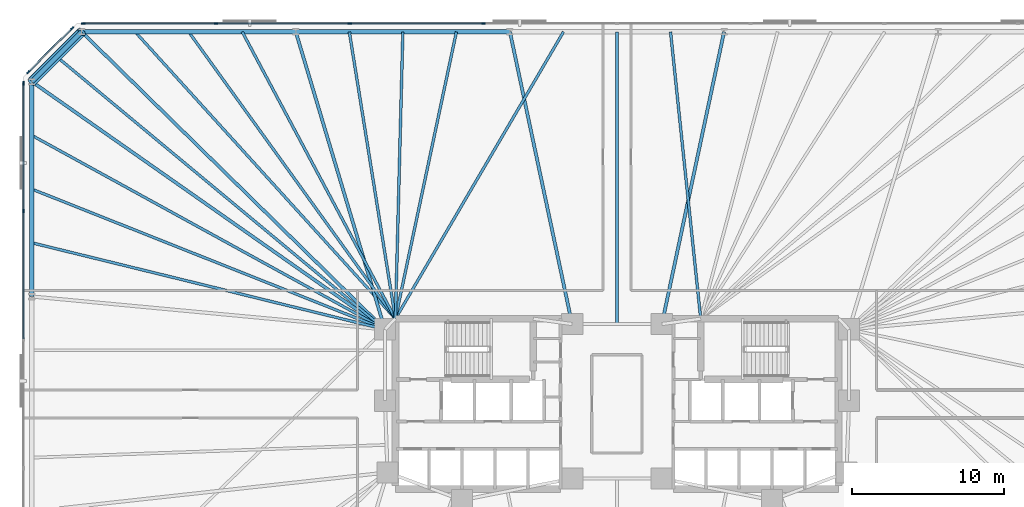
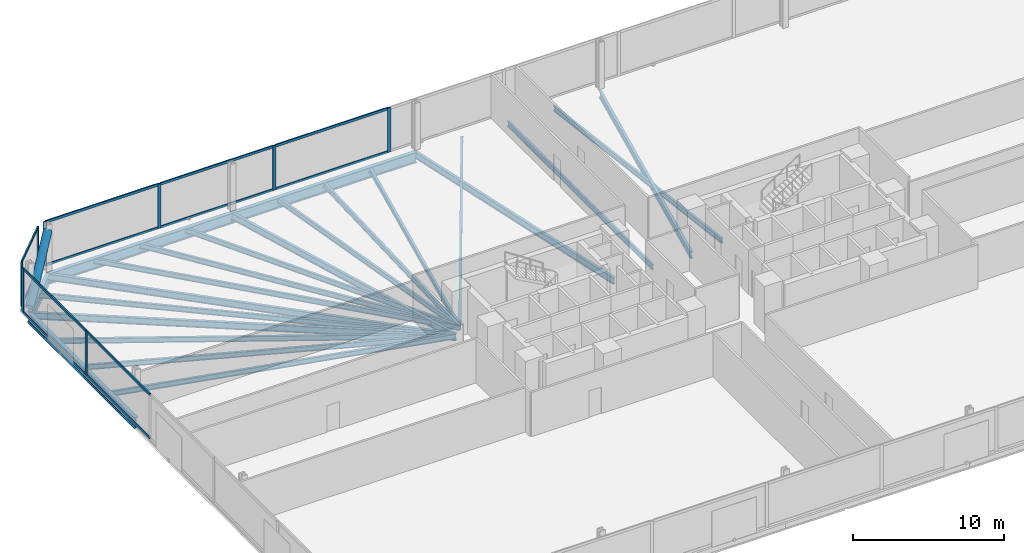
# One storey, part 8 of 16: 22 beams, 21 members, 3 elements without a shape of their own.
"""IFC4 building model written with IfcOpenShell, lengths in metres."""

from ifc_helpers import new_model, si_unit, direction, frame, origin, origin_2d, place, context, subcontext, project, spatial, rectangle, hollow_circle, i_section, extrude, material, material_profile, profile_set, type_object, element, aggregate, save


model = new_model("IFC4")

# Units and contexts
model_context = context("Model", 3, precision=1e-05, world=origin(), true_north=direction((0.0, 1.0)))
body_context = subcontext(model_context, "Body", "Model", "MODEL_VIEW")
ifc_project = project(units=[si_unit("LENGTHUNIT", "METRE"), si_unit("AREAUNIT", "SQUARE_METRE"), si_unit("VOLUMEUNIT", "CUBIC_METRE"), si_unit("PLANEANGLEUNIT", "RADIAN"), si_unit("MASSUNIT", "GRAM", prefix="KILO")], contexts=[model_context])

# Site, building, storey
site_placement = place(None, origin())
site = spatial("IfcSite", under=ifc_project, at=site_placement, CompositionType="ELEMENT")
building_placement = place(site_placement, origin())
building = spatial("IfcBuilding", under=site, at=building_placement, Name="Menara Jurai Vektor", CompositionType="ELEMENT")
storey_placement = place(building_placement, frame((0.0, 0.0, 67.39990234375)))
storey = spatial("IfcBuildingStorey", under=building, at=storey_placement, Name="L16", CompositionType="ELEMENT", Elevation=67.39990234375)

# Curtain wall, members
ifc_material_1 = material(Name="Anodised Pale Aluminium & Low-E Double Glazing", Category="aluminium")
curtain_wall_type = type_object("IfcCurtainWallType", Name="CW-BLK1", PredefinedType="NOTDEFINED", material=ifc_material_1)
curtain_wall_1_placement = place(storey_placement, origin())
curtain_wall_1 = element("IfcCurtainWall", 1, at=curtain_wall_1_placement, inside=storey, type_object=curtain_wall_type, Name="Unitised Curtain Wall L16 F05", PredefinedType="NOTDEFINED")
ifc_material_2 = material(Name="Anodised Pale Aluminium Mullion", Category="aluminium")
ifc_material_profile_1 = material_profile(ifc_material_2, rectangle(XDim=0.094970703125, YDim=0.239990234375, at=origin_2d()), Name="ALU MUL 95x240")
ifc_profile_set_1 = profile_set([ifc_material_profile_1], Name="Anodised Pale Aluminium Mullion")
member_type_1 = type_object("IfcMemberType", Name="CW-BLK1-MUL", PredefinedType="MULLION", material=ifc_profile_set_1)
member_1_placement = place(storey_placement, frame((-8.780029296875, 25.0, 0.0), z_axis=(0.0, 0.0, 1.0), x_axis=(0.0, -1.0, 0.0)))
member_1 = element("IfcMember", 2, at=member_1_placement, type_object=member_type_1, Name="CW-01 mullion 6", PredefinedType="MULLION", context=body_context, shape_type="SweptSolid", body=[
    extrude(rectangle(XDim=0.094970703125, YDim=0.239990234375, at=origin_2d()), origin(), (0.0, 0.0, 1.0), 3.5751953125),
])
member_2_placement = place(storey_placement, frame((-17.56005859375, 25.0, 0.0), z_axis=(0.0, 0.0, 1.0), x_axis=(0.0, -1.0, 0.0)))
member_2 = element("IfcMember", 3, at=member_2_placement, type_object=member_type_1, Name="CW-01 mullion 7", PredefinedType="MULLION", context=body_context, shape_type="SweptSolid", body=[
    extrude(rectangle(XDim=0.094970703125, YDim=0.239990234375, at=origin_2d()), origin(), (0.0, 0.0, 1.0), 3.5751953125),
])
member_3_placement = place(storey_placement, frame((-26.340087890625, 25.0, 0.0), z_axis=(0.0, 0.0, 1.0), x_axis=(0.0, -1.0, 0.0)))
member_3 = element("IfcMember", 4, at=member_3_placement, type_object=member_type_1, Name="CW-01 mullion 8", PredefinedType="MULLION", context=body_context, shape_type="SweptSolid", body=[
    extrude(rectangle(XDim=0.094970703125, YDim=0.239990234375, at=origin_2d()), origin(), (0.0, 0.0, 1.0), 3.5751953125),
])
member_4_placement = place(storey_placement, frame((-35.072509765625, 25.0, 0.0), z_axis=(0.0, 0.0, 1.0), x_axis=(0.0, -1.0, 0.0)))
member_4 = element("IfcMember", 5, at=member_4_placement, type_object=member_type_1, Name="CW-01 mullion 9", PredefinedType="MULLION", context=body_context, shape_type="SweptSolid", body=[
    extrude(rectangle(XDim=0.094970703125, YDim=0.239990234375, at=origin_2d()), origin(), (0.0, 0.0, 1.0), 3.5751953125),
])

curtain_wall_2_placement = place(storey_placement, origin())
curtain_wall_2 = element("IfcCurtainWall", 6, at=curtain_wall_2_placement, inside=storey, type_object=curtain_wall_type, Name="Unitised Curtain Wall L16 F06", PredefinedType="NOTDEFINED")
member_5_placement = place(storey_placement, frame((-35.80224609375, 24.69775390625, 0.0), z_axis=(0.0, 0.0, 1.0), x_axis=(0.707106781187, -0.707106781187, 0.0)))
member_5 = element("IfcMember", 7, at=member_5_placement, type_object=member_type_1, Name="CW-01 mullion 1", PredefinedType="MULLION", context=body_context, shape_type="SweptSolid", body=[
    extrude(rectangle(XDim=0.094970703125, YDim=0.239990234375, at=origin_2d()), origin(), (0.0, 0.0, 1.0), 3.5751953125),
])
member_6_placement = place(storey_placement, frame((-38.69775390625, 21.80224609375, 0.0), z_axis=(0.0, 0.0, 1.0), x_axis=(0.707106781187, -0.707106781187, 0.0)))
member_6 = element("IfcMember", 8, at=member_6_placement, type_object=member_type_1, Name="CW-01 mullion 2", PredefinedType="MULLION", context=body_context, shape_type="SweptSolid", body=[
    extrude(rectangle(XDim=0.094970703125, YDim=0.239990234375, at=origin_2d()), origin(), (0.0, 0.0, 1.0), 3.5751953125),
])

curtain_wall_3_placement = place(storey_placement, origin())
curtain_wall_3 = element("IfcCurtainWall", 9, at=curtain_wall_3_placement, inside=storey, type_object=curtain_wall_type, Name="Unitised Curtain Wall L16 F07", PredefinedType="NOTDEFINED")
member_7_placement = place(storey_placement, frame((-39.0, 21.072509765625, 0.0), z_axis=(0.0, 0.0, 1.0), x_axis=(1.0, 0.0, 0.0)))
member_7 = element("IfcMember", 10, at=member_7_placement, type_object=member_type_1, Name="CW-01 mullion 1", PredefinedType="MULLION", context=body_context, shape_type="SweptSolid", body=[
    extrude(rectangle(XDim=0.094970703125, YDim=0.239990234375, at=origin_2d()), origin(), (0.0, 0.0, 1.0), 3.5751953125),
])
member_8_placement = place(storey_placement, frame((-39.0, 12.672119140625, 0.0), z_axis=(0.0, 0.0, 1.0), x_axis=(1.0, 0.0, 0.0)))
member_8 = element("IfcMember", 11, at=member_8_placement, type_object=member_type_1, Name="CW-01 mullion 2", PredefinedType="MULLION", context=body_context, shape_type="SweptSolid", body=[
    extrude(rectangle(XDim=0.094970703125, YDim=0.239990234375, at=origin_2d()), origin(), (0.0, 0.0, 1.0), 3.5751953125),
])

# Member
ifc_material_3 = material(Name="Anodised Pale Aluminium Transom", Category="aluminium")
ifc_material_profile_2 = material_profile(ifc_material_3, rectangle(XDim=0.094970703125, YDim=0.199951171875, at=origin_2d()), Name="ALU TRN 95x200")
ifc_profile_set_2 = profile_set([ifc_material_profile_2], Name="Anodised Pale Aluminium Transom")
member_type_2 = type_object("IfcMemberType", Name="CW-BLK1-TRN", PredefinedType="USERDEFINED", material=ifc_profile_set_2)
member_9_placement = place(storey_placement, frame((-8.827392578125, 25.0, 0.047607421875), z_axis=(-1.0, 0.0, 0.0), x_axis=(0.0, -1.0, 0.0)))
member_9 = element("IfcMember", 12, at=member_9_placement, type_object=member_type_2, Name="CW-01 transom 6.1", ObjectType="TRANSOM", PredefinedType="USERDEFINED", context=body_context, shape_type="SweptSolid", body=[
    extrude(rectangle(XDim=0.094970703125, YDim=0.199951171875, at=origin_2d()), origin(), (0.0, 0.0, 1.0), 8.68505859375),
])

member_10_placement = place(storey_placement, frame((-8.827392578125, 25.0, 3.527587890625), z_axis=(-1.0, 0.0, 0.0), x_axis=(0.0, -1.0, 0.0)))
member_10 = element("IfcMember", 13, at=member_10_placement, type_object=member_type_2, Name="CW-01 transom 6.2", ObjectType="TRANSOM", PredefinedType="USERDEFINED", context=body_context, shape_type="SweptSolid", body=[
    extrude(rectangle(XDim=0.094970703125, YDim=0.199951171875, at=origin_2d()), origin(), (0.0, 0.0, 1.0), 8.68505859375),
])

member_11_placement = place(storey_placement, frame((-17.607421875, 25.0, 0.047607421875), z_axis=(-1.0, 0.0, 0.0), x_axis=(0.0, -1.0, 0.0)))
member_11 = element("IfcMember", 14, at=member_11_placement, type_object=member_type_2, Name="CW-01 transom 7.1", ObjectType="TRANSOM", PredefinedType="USERDEFINED", context=body_context, shape_type="SweptSolid", body=[
    extrude(rectangle(XDim=0.094970703125, YDim=0.199951171875, at=origin_2d()), origin(), (0.0, 0.0, 1.0), 8.68505859375),
])

member_12_placement = place(storey_placement, frame((-17.607421875, 25.0, 3.527587890625), z_axis=(-1.0, 0.0, 0.0), x_axis=(0.0, -1.0, 0.0)))
member_12 = element("IfcMember", 15, at=member_12_placement, type_object=member_type_2, Name="CW-01 transom 7.2", ObjectType="TRANSOM", PredefinedType="USERDEFINED", context=body_context, shape_type="SweptSolid", body=[
    extrude(rectangle(XDim=0.094970703125, YDim=0.199951171875, at=origin_2d()), origin(), (0.0, 0.0, 1.0), 8.68505859375),
])

member_13_placement = place(storey_placement, frame((-26.387451171875, 25.0, 0.047607421875), z_axis=(-1.0, 0.0, 0.0), x_axis=(0.0, -1.0, 0.0)))
member_13 = element("IfcMember", 16, at=member_13_placement, type_object=member_type_2, Name="CW-01 transom 8.1", ObjectType="TRANSOM", PredefinedType="USERDEFINED", context=body_context, shape_type="SweptSolid", body=[
    extrude(rectangle(XDim=0.094970703125, YDim=0.199951171875, at=origin_2d()), origin(), (0.0, 0.0, 1.0), 8.637451171875),
])

member_14_placement = place(storey_placement, frame((-26.387451171875, 25.0, 3.527587890625), z_axis=(-1.0, 0.0, 0.0), x_axis=(0.0, -1.0, 0.0)))
member_14 = element("IfcMember", 17, at=member_14_placement, type_object=member_type_2, Name="CW-01 transom 8.2", ObjectType="TRANSOM", PredefinedType="USERDEFINED", context=body_context, shape_type="SweptSolid", body=[
    extrude(rectangle(XDim=0.094970703125, YDim=0.199951171875, at=origin_2d()), origin(), (0.0, 0.0, 1.0), 8.637451171875),
])

aggregate(curtain_wall_1, [member_1, member_2, member_3, member_4, member_9, member_10, member_11, member_12, member_13, member_14])

member_15_placement = place(storey_placement, frame((-35.8359375, 24.6640625, 0.047607421875), z_axis=(-0.707106781187, -0.707106781187, 0.0), x_axis=(0.707106781187, -0.707106781187, 0.0)))
member_15 = element("IfcMember", 18, at=member_15_placement, type_object=member_type_2, Name="CW-01 transom 1.1", ObjectType="TRANSOM", PredefinedType="USERDEFINED", context=body_context, shape_type="SweptSolid", body=[
    extrude(rectangle(XDim=0.094970703125, YDim=0.199951171875, at=origin_2d()), origin(), (0.0, 0.0, 1.0), 3.99951171875),
])

member_16_placement = place(storey_placement, frame((-35.8359375, 24.6640625, 3.527587890625), z_axis=(-0.707106781187, -0.707106781187, 0.0), x_axis=(0.707106781187, -0.707106781187, 0.0)))
member_16 = element("IfcMember", 19, at=member_16_placement, type_object=member_type_2, Name="CW-01 transom 1.2", ObjectType="TRANSOM", PredefinedType="USERDEFINED", context=body_context, shape_type="SweptSolid", body=[
    extrude(rectangle(XDim=0.094970703125, YDim=0.199951171875, at=origin_2d()), origin(), (0.0, 0.0, 1.0), 3.99951171875),
])

aggregate(curtain_wall_2, [member_5, member_6, member_15, member_16])

member_17_placement = place(storey_placement, frame((-39.0, 21.02490234375, 0.047607421875), z_axis=(0.0, -1.0, 0.0), x_axis=(1.0, 0.0, 0.0)))
member_17 = element("IfcMember", 20, at=member_17_placement, type_object=member_type_2, Name="CW-01 transom 1.1", ObjectType="TRANSOM", PredefinedType="USERDEFINED", context=body_context, shape_type="SweptSolid", body=[
    extrude(rectangle(XDim=0.094970703125, YDim=0.199951171875, at=origin_2d()), origin(), (0.0, 0.0, 1.0), 8.305419921875),
])

member_18_placement = place(storey_placement, frame((-39.0, 21.02490234375, 3.527587890625), z_axis=(0.0, -1.0, 0.0), x_axis=(1.0, 0.0, 0.0)))
member_18 = element("IfcMember", 21, at=member_18_placement, type_object=member_type_2, Name="CW-01 transom 1.2", ObjectType="TRANSOM", PredefinedType="USERDEFINED", context=body_context, shape_type="SweptSolid", body=[
    extrude(rectangle(XDim=0.094970703125, YDim=0.199951171875, at=origin_2d()), origin(), (0.0, 0.0, 1.0), 8.305419921875),
])

member_19_placement = place(storey_placement, frame((-39.0, 12.62451171875, 0.047607421875), z_axis=(0.0, -1.0, 0.0), x_axis=(1.0, 0.0, 0.0)))
member_19 = element("IfcMember", 22, at=member_19_placement, type_object=member_type_2, Name="CW-01 transom 2.1", ObjectType="TRANSOM", PredefinedType="USERDEFINED", context=body_context, shape_type="SweptSolid", body=[
    extrude(rectangle(XDim=0.094970703125, YDim=0.199951171875, at=origin_2d()), origin(), (0.0, 0.0, 1.0), 8.35302734375),
])

member_20_placement = place(storey_placement, frame((-39.0, 12.62451171875, 3.527587890625), z_axis=(0.0, -1.0, 0.0), x_axis=(1.0, 0.0, 0.0)))
member_20 = element("IfcMember", 23, at=member_20_placement, type_object=member_type_2, Name="CW-01 transom 2.2", ObjectType="TRANSOM", PredefinedType="USERDEFINED", context=body_context, shape_type="SweptSolid", body=[
    extrude(rectangle(XDim=0.094970703125, YDim=0.199951171875, at=origin_2d()), origin(), (0.0, 0.0, 1.0), 8.35302734375),
])

aggregate(curtain_wall_3, [member_7, member_8, member_17, member_18, member_19, member_20])

# Beams
ifc_material_4 = material(Name="Steel S355", Category="steel")
ifc_material_profile_3 = material_profile(ifc_material_4, i_section(OverallWidth=0.2109375, OverallDepth=0.5390625, WebThickness=0.011962890625, FlangeThickness=0.01904296875, FilletRadius=0.012939453125, at=origin_2d()), Name="UKB 533x210x109")
ifc_profile_set_3 = profile_set([ifc_material_profile_3], Name="Steel S355")
beam_type_1 = type_object("IfcBeamType", Name="STR-BM-533", PredefinedType="BEAM", material=ifc_profile_set_3)
for number, where, z_axis, x_axis, name in (
    (24, (7.03564453125, 24.449951171875, -0.494384765625), (-0.2081367579, -0.978099734184, 0.0), (0.978099734184, -0.2081367579, 0.0), "Radial Floor Girder L16-N3"),
    (25, (-7.03564453125, 24.449951171875, -0.494384765625), (0.2081367579, -0.978099734184, 0.0), (0.978099734184, 0.2081367579, 0.0), "Radial Floor Girder L16-N4"),
):
    element("IfcBeam", number, at=place(storey_placement, frame(where, z_axis=z_axis, x_axis=x_axis)), inside=storey, type_object=beam_type_1, Name=name, PredefinedType="BEAM", context=body_context, shape_type="SweptSolid", body=[
        extrude(i_section(OverallWidth=0.2109375, OverallDepth=0.5390625, WebThickness=0.011962890625, FlangeThickness=0.01904296875, FilletRadius=0.012939453125, at=origin_2d()), origin(), (0.0, 0.0, 1.0), 19.6298828125),
    ])
beam_1_placement = place(storey_placement, frame((-21.106689453125, 24.449951171875, -0.494384765625), z_axis=(0.286973617166, -0.957938486047, 0.0), x_axis=(0.957938486047, 0.286973617166, 0.0)))
element("IfcBeam", 26, at=beam_1_placement, inside=storey, type_object=beam_type_1, Name="Radial Floor Girder L16-N5", PredefinedType="BEAM", context=body_context, shape_type="SweptSolid", body=[
    extrude(i_section(OverallWidth=0.2109375, OverallDepth=0.5390625, WebThickness=0.011962890625, FlangeThickness=0.01904296875, FilletRadius=0.012939453125, at=origin_2d()), origin(), (0.0, 0.0, 1.0), 20.408447265625),
])
beam_2_placement = place(storey_placement, frame((-35.177734375, 24.449951171875, -0.494384765625), z_axis=(0.713839032855, -0.700309813706, 0.0), x_axis=(0.700309813706, 0.713839032855, 0.0)))
element("IfcBeam", 27, at=beam_2_placement, inside=storey, type_object=beam_type_1, Name="Radial Floor Girder L16-N6", PredefinedType="BEAM", context=body_context, shape_type="SweptSolid", body=[
    extrude(i_section(OverallWidth=0.2109375, OverallDepth=0.5390625, WebThickness=0.011962890625, FlangeThickness=0.01904296875, FilletRadius=0.012939453125, at=origin_2d()), origin(), (0.0, 0.0, 1.0), 27.916259765625),
])
beam_3_placement = place(storey_placement, frame((-38.449951171875, 21.177734375, -0.494384765625), z_axis=(0.818603732445, -0.574358711283, 0.0), x_axis=(0.574358711283, 0.818603732445, 0.0)))
element("IfcBeam", 28, at=beam_3_placement, inside=storey, type_object=beam_type_1, Name="Radial Floor Girder L16-W1", PredefinedType="BEAM", context=body_context, shape_type="SweptSolid", body=[
    extrude(i_section(OverallWidth=0.2109375, OverallDepth=0.5390625, WebThickness=0.011962890625, FlangeThickness=0.01904296875, FilletRadius=0.012939453125, at=origin_2d()), origin(), (0.0, 0.0, 1.0), 28.3408203125),
])

# Member
ifc_material_5 = material(Name="Steel S460", Category="steel")
ifc_material_profile_4 = material_profile(ifc_material_5, hollow_circle(Radius=0.304931640625, WallThickness=0.02490234375, at=origin_2d()), Name="CHS 610x25")
ifc_profile_set_4 = profile_set([ifc_material_profile_4], Name="Steel S460")
member_type_3 = type_object("IfcMemberType", Name="STR-BR-610", PredefinedType="BRACE", material=ifc_profile_set_4)
member_21_placement = place(storey_placement, frame((-38.449951171875, 21.177734375, 0.150146484375), z_axis=(0.588942422958, 0.588942422958, 0.553438022619), x_axis=(-0.707106781187, 0.707106781187, 0.0)))
element("IfcMember", 29, at=member_21_placement, inside=storey, type_object=member_type_3, Name="Exoskeleton Corner Brace L16-3", PredefinedType="BRACE", context=body_context, shape_type="SweptSolid", body=[
    extrude(hollow_circle(Radius=0.304931640625, WallThickness=0.02490234375, at=origin_2d()), origin(), (0.0, 0.0, 1.0), 5.55615234375),
])

# Beams
ifc_material_profile_5 = material_profile(ifc_material_4, i_section(OverallWidth=0.178955078125, OverallDepth=0.408935546875, WebThickness=0.009033203125, FlangeThickness=0.013916015625, FilletRadius=0.010009765625, at=origin_2d()), Name="UKB 406x178x67")
ifc_profile_set_5 = profile_set([ifc_material_profile_5], Name="Steel S355")
beam_type_2 = type_object("IfcBeamType", Name="STR-JS-406", PredefinedType="JOIST", material=ifc_profile_set_5)
beam_4_placement = place(storey_placement, frame((3.517822265625, 24.449951171875, -0.429443359375), z_axis=(0.104579513969, -0.994516528399, 0.0), x_axis=(0.994516528399, 0.104579513969, 0.0)))
element("IfcBeam", 30, at=beam_4_placement, inside=storey, type_object=beam_type_2, Name="Radial Secondary Floor Joist L16-JS22", PredefinedType="JOIST", context=body_context, shape_type="SweptSolid", body=[
    extrude(i_section(OverallWidth=0.178955078125, OverallDepth=0.408935546875, WebThickness=0.009033203125, FlangeThickness=0.013916015625, FilletRadius=0.010009765625, at=origin_2d()), origin(), (0.0, 0.0, 1.0), 18.953857421875),
])
beam_5_placement = place(storey_placement, frame((0.0, 24.449951171875, -0.429443359375), z_axis=(0.0, -1.0, 0.0), x_axis=(1.0, 0.0, 0.0)))
element("IfcBeam", 31, at=beam_5_placement, inside=storey, type_object=beam_type_2, Name="Radial Secondary Floor Joist L16-JS23", PredefinedType="JOIST", context=body_context, shape_type="SweptSolid", body=[
    extrude(i_section(OverallWidth=0.178955078125, OverallDepth=0.408935546875, WebThickness=0.009033203125, FlangeThickness=0.013916015625, FilletRadius=0.010009765625, at=origin_2d()), origin(), (0.0, 0.0, 1.0), 19.199951171875),
])
beam_6_placement = place(storey_placement, frame((-3.517822265625, 24.449951171875, -0.429443359375), z_axis=(-0.505457909797, -0.862851262631, 0.0), x_axis=(0.862851262631, -0.505457909797, 0.0)))
element("IfcBeam", 32, at=beam_6_placement, inside=storey, type_object=beam_type_2, Name="Radial Secondary Floor Joist L16-JS24", PredefinedType="JOIST", context=body_context, shape_type="SweptSolid", body=[
    extrude(i_section(OverallWidth=0.178955078125, OverallDepth=0.408935546875, WebThickness=0.009033203125, FlangeThickness=0.013916015625, FilletRadius=0.010009765625, at=origin_2d()), origin(), (0.0, 0.0, 1.0), 21.845947265625),
])
beam_7_placement = place(storey_placement, frame((-10.55322265625, 24.449951171875, -0.429443359375), z_axis=(-0.207920423262, -0.978145744555, 0.0), x_axis=(0.978145744555, -0.207920423262, 0.0)))
element("IfcBeam", 33, at=beam_7_placement, inside=storey, type_object=beam_type_2, Name="Radial Secondary Floor Joist L16-JS25", PredefinedType="JOIST", context=body_context, shape_type="SweptSolid", body=[
    extrude(i_section(OverallWidth=0.178955078125, OverallDepth=0.408935546875, WebThickness=0.009033203125, FlangeThickness=0.013916015625, FilletRadius=0.010009765625, at=origin_2d()), origin(), (0.0, 0.0, 1.0), 19.27099609375),
])
beam_8_placement = place(storey_placement, frame((-14.071044921875, 24.449951171875, -0.429443359375), z_axis=(-0.02593384597, -0.999663661255, 0.0), x_axis=(0.999663661255, -0.02593384597, 0.0)))
element("IfcBeam", 34, at=beam_8_placement, inside=storey, type_object=beam_type_2, Name="Radial Secondary Floor Joist L16-JS26", PredefinedType="JOIST", context=body_context, shape_type="SweptSolid", body=[
    extrude(i_section(OverallWidth=0.178955078125, OverallDepth=0.408935546875, WebThickness=0.009033203125, FlangeThickness=0.013916015625, FilletRadius=0.010009765625, at=origin_2d()), origin(), (0.0, 0.0, 1.0), 18.856201171875),
])
beam_9_placement = place(storey_placement, frame((-17.5888671875, 24.449951171875, -0.429443359375), z_axis=(0.158645817656, -0.987335558227, 0.0), x_axis=(0.987335558227, 0.158645817656, 0.0)))
element("IfcBeam", 35, at=beam_9_placement, inside=storey, type_object=beam_type_2, Name="Radial Secondary Floor Joist L16-JS27", PredefinedType="JOIST", context=body_context, shape_type="SweptSolid", body=[
    extrude(i_section(OverallWidth=0.178955078125, OverallDepth=0.408935546875, WebThickness=0.009033203125, FlangeThickness=0.013916015625, FilletRadius=0.010009765625, at=origin_2d()), origin(), (0.0, 0.0, 1.0), 19.091552734375),
])
beam_10_placement = place(storey_placement, frame((-24.62451171875, 24.449951171875, -0.429443359375), z_axis=(0.470996174599, -0.882135252392, 0.0), x_axis=(0.882135252392, 0.470996174599, 0.0)))
element("IfcBeam", 36, at=beam_10_placement, inside=storey, type_object=beam_type_2, Name="Radial Secondary Floor Joist L16-JS28", PredefinedType="JOIST", context=body_context, shape_type="SweptSolid", body=[
    extrude(i_section(OverallWidth=0.178955078125, OverallDepth=0.408935546875, WebThickness=0.009033203125, FlangeThickness=0.013916015625, FilletRadius=0.010009765625, at=origin_2d()), origin(), (0.0, 0.0, 1.0), 21.368408203125),
])
beam_11_placement = place(storey_placement, frame((-28.142333984375, 24.449951171875, -0.429443359375), z_axis=(0.584598948369, -0.811322420229, 0.0), x_axis=(0.811322420229, 0.584598948369, 0.0)))
element("IfcBeam", 37, at=beam_11_placement, inside=storey, type_object=beam_type_2, Name="Radial Secondary Floor Joist L16-JS29", PredefinedType="JOIST", context=body_context, shape_type="SweptSolid", body=[
    extrude(i_section(OverallWidth=0.178955078125, OverallDepth=0.408935546875, WebThickness=0.009033203125, FlangeThickness=0.013916015625, FilletRadius=0.010009765625, at=origin_2d()), origin(), (0.0, 0.0, 1.0), 23.2333984375),
])
beam_12_placement = place(storey_placement, frame((-31.659912109375, 24.449951171875, -0.429443359375), z_axis=(0.671889844346, -0.740651089964, 0.0), x_axis=(0.740651089964, 0.671889844346, 0.0)))
element("IfcBeam", 38, at=beam_12_placement, inside=storey, type_object=beam_type_2, Name="Radial Secondary Floor Joist L16-JS30", PredefinedType="JOIST", context=body_context, shape_type="SweptSolid", body=[
    extrude(i_section(OverallWidth=0.178955078125, OverallDepth=0.408935546875, WebThickness=0.009033203125, FlangeThickness=0.013916015625, FilletRadius=0.010009765625, at=origin_2d()), origin(), (0.0, 0.0, 1.0), 25.450439453125),
])
beam_13_placement = place(storey_placement, frame((-36.81396484375, 22.81396484375, -0.429443359375), z_axis=(0.769201173096, -0.639006694259, 0.0), x_axis=(0.639006694259, 0.769201173096, 0.0)))
element("IfcBeam", 39, at=beam_13_placement, inside=storey, type_object=beam_type_2, Name="Radial Secondary Floor Joist L16-JS31", PredefinedType="JOIST", context=body_context, shape_type="SweptSolid", body=[
    extrude(i_section(OverallWidth=0.178955078125, OverallDepth=0.408935546875, WebThickness=0.009033203125, FlangeThickness=0.013916015625, FilletRadius=0.010009765625, at=origin_2d()), origin(), (0.0, 0.0, 1.0), 28.0341796875),
])
beam_14_placement = place(storey_placement, frame((-38.449951171875, 17.648193359375, -0.429443359375), z_axis=(0.87640219057, -0.481579900291, 0.0), x_axis=(0.481579900291, 0.87640219057, 0.0)))
element("IfcBeam", 40, at=beam_14_placement, inside=storey, type_object=beam_type_2, Name="Radial Secondary Floor Joist L16-JS32", PredefinedType="JOIST", context=body_context, shape_type="SweptSolid", body=[
    extrude(i_section(OverallWidth=0.178955078125, OverallDepth=0.408935546875, WebThickness=0.009033203125, FlangeThickness=0.013916015625, FilletRadius=0.010009765625, at=origin_2d()), origin(), (0.0, 0.0, 1.0), 26.471923828125),
])
beam_15_placement = place(storey_placement, frame((-38.449951171875, 14.118408203125, -0.429443359375), z_axis=(0.929323400723, -0.369266864027, 0.0), x_axis=(0.369266864027, 0.929323400723, 0.0)))
element("IfcBeam", 41, at=beam_15_placement, inside=storey, type_object=beam_type_2, Name="Radial Secondary Floor Joist L16-JS33", PredefinedType="JOIST", context=body_context, shape_type="SweptSolid", body=[
    extrude(i_section(OverallWidth=0.178955078125, OverallDepth=0.408935546875, WebThickness=0.009033203125, FlangeThickness=0.013916015625, FilletRadius=0.010009765625, at=origin_2d()), origin(), (0.0, 0.0, 1.0), 24.96435546875),
])
beam_16_placement = place(storey_placement, frame((-38.449951171875, 10.5888671875, -0.429443359375), z_axis=(0.971226234641, -0.238158772976, 0.0), x_axis=(0.238158772976, 0.971226234641, 0.0)))
element("IfcBeam", 42, at=beam_16_placement, inside=storey, type_object=beam_type_2, Name="Radial Secondary Floor Joist L16-JS34", PredefinedType="JOIST", context=body_context, shape_type="SweptSolid", body=[
    extrude(i_section(OverallWidth=0.178955078125, OverallDepth=0.408935546875, WebThickness=0.009033203125, FlangeThickness=0.013916015625, FilletRadius=0.010009765625, at=origin_2d()), origin(), (0.0, 0.0, 1.0), 23.88720703125),
])
ifc_material_profile_6 = material_profile(ifc_material_5, i_section(OverallWidth=0.2939453125, OverallDepth=0.85107421875, WebThickness=0.01611328125, FlangeThickness=0.027099609375, FilletRadius=0.01806640625, at=origin_2d()), Name="UKB 838x292x226")
ifc_profile_set_6 = profile_set([ifc_material_profile_6], Name="Steel S460")
beam_type_3 = type_object("IfcBeamType", Name="STR-SP-838", PredefinedType="SPANDREL", material=ifc_profile_set_6)
for number, where, z_axis, x_axis, name in (
    (43, (-7.03564453125, 24.449951171875, -0.650390625), (-1.0, 0.0, 0.0), (0.0, -1.0, 0.0), "Exoskeleton Spandrel Beam L16-14"),
    (44, (-21.106689453125, 24.449951171875, -0.650390625), (-1.0, 0.0, 0.0), (0.0, -1.0, 0.0), "Exoskeleton Spandrel Beam L16-15"),
):
    element("IfcBeam", number, at=place(storey_placement, frame(where, z_axis=z_axis, x_axis=x_axis)), inside=storey, type_object=beam_type_3, Name=name, PredefinedType="SPANDREL", context=body_context, shape_type="SweptSolid", body=[
        extrude(i_section(OverallWidth=0.2939453125, OverallDepth=0.85107421875, WebThickness=0.01611328125, FlangeThickness=0.027099609375, FilletRadius=0.01806640625, at=origin_2d()), origin(), (0.0, 0.0, 1.0), 14.071044921875),
    ])
beam_17_placement = place(storey_placement, frame((-35.177734375, 24.449951171875, -0.650390625), z_axis=(-0.707106781187, -0.707106781187, 0.0), x_axis=(0.707106781187, -0.707106781187, 0.0)))
element("IfcBeam", 45, at=beam_17_placement, inside=storey, type_object=beam_type_3, Name="Exoskeleton Spandrel Beam L16-16", PredefinedType="SPANDREL", context=body_context, shape_type="SweptSolid", body=[
    extrude(i_section(OverallWidth=0.2939453125, OverallDepth=0.85107421875, WebThickness=0.01611328125, FlangeThickness=0.027099609375, FilletRadius=0.01806640625, at=origin_2d()), origin(), (0.0, 0.0, 1.0), 4.627685546875),
])
beam_18_placement = place(storey_placement, frame((-38.449951171875, 21.177734375, -0.650390625), z_axis=(0.0, -1.0, 0.0), x_axis=(1.0, 0.0, 0.0)))
element("IfcBeam", 46, at=beam_18_placement, inside=storey, type_object=beam_type_3, Name="Exoskeleton Spandrel Beam L16-17", PredefinedType="SPANDREL", context=body_context, shape_type="SweptSolid", body=[
    extrude(i_section(OverallWidth=0.2939453125, OverallDepth=0.85107421875, WebThickness=0.01611328125, FlangeThickness=0.027099609375, FilletRadius=0.01806640625, at=origin_2d()), origin(), (0.0, 0.0, 1.0), 14.118408203125),
])

save(model, "model.ifc")
